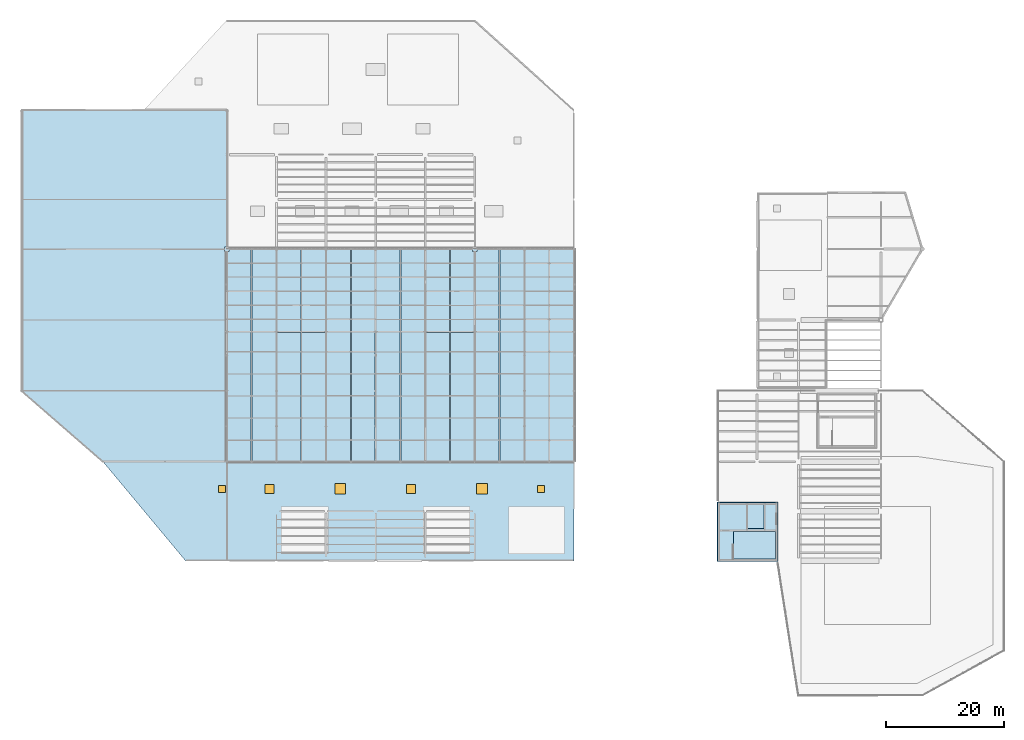
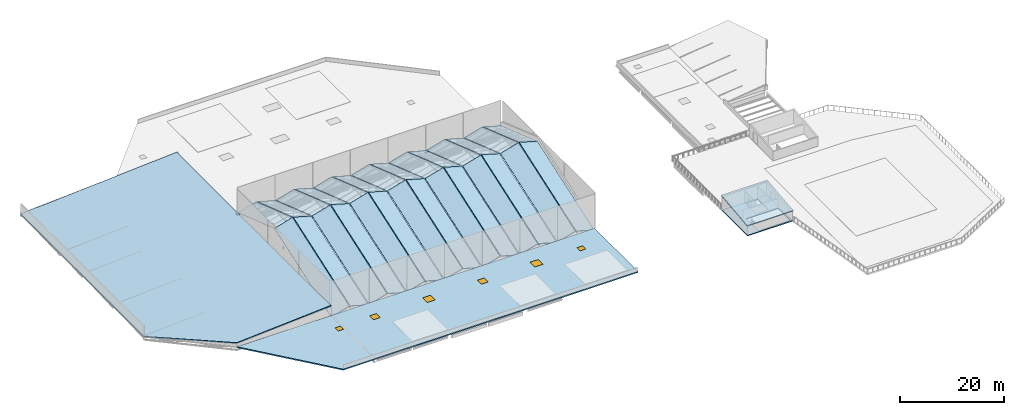
# One storey, part 52 of 77: 32 slabs, 4 windows, 2 doors, 2 plates, 6 openings.
"""IFC4 building model written with IfcOpenShell, lengths in metres."""

from ifc_helpers import new_model, si_unit, direction, frame, origin, origin_2d, place, context, subcontext, project, spatial, polyline, rectangle, outline, extrude, material, layer, layer_set, type_object, element, fill, save


model = new_model("IFC4")

# Units and contexts
model_context = context("Model", 3, precision=1e-05, world=origin(), true_north=direction((0.0, 1.0)))
body_context = subcontext(model_context, "Body", "Model", "MODEL_VIEW")
ifc_project = project(units=[si_unit("LENGTHUNIT", "METRE"), si_unit("AREAUNIT", "SQUARE_METRE"), si_unit("VOLUMEUNIT", "CUBIC_METRE"), si_unit("PLANEANGLEUNIT", "RADIAN"), si_unit("MASSUNIT", "GRAM", prefix="KILO")], contexts=[model_context])

# Site, building, storey
site_placement = place(None, origin())
site = spatial("IfcSite", under=ifc_project, at=site_placement, CompositionType="ELEMENT")
building_placement = place(site_placement, origin())
building = spatial("IfcBuilding", under=site, at=building_placement, Name="Larkvane Passage Sports Hall", CompositionType="ELEMENT")
storey_placement = place(building_placement, frame((0.0, 0.0, 22.199951171875)))
storey = spatial("IfcBuildingStorey", under=building, at=storey_placement, Name="RF", CompositionType="ELEMENT", Elevation=22.199951171875)

# Plates
ifc_material_1 = material(Name="Steel S460N", Category="steel")
ifc_layer_1 = layer(ifc_material_1, 0.028076171875)
ifc_layer_set_1 = layer_set([ifc_layer_1], Name="Steel S460N")
plate_type = type_object("IfcPlateType", Name="PLT-CAP-28", PredefinedType="SHEET", material=ifc_layer_set_1)
for number, where, z_axis, x_axis, name in (
    (1, (34.800048828125, 75.60009765625, 2.10009765625), (0.0, 0.0, 1.0), (1.0, 0.0, 0.0), "Hollow section sealed end cap plate 0222"),
    (2, (76.800048828125, 75.60009765625, 2.10009765625), (0.0, 0.0, 1.0), (1.0, 0.0, 0.0), "Hollow section sealed end cap plate 0306"),
):
    element("IfcPlate", number, at=place(storey_placement, frame(where, z_axis=z_axis, x_axis=x_axis)), inside=storey, type_object=plate_type, Name=name, PredefinedType="SHEET", context=body_context, shape_type="SweptSolid", body=[
        extrude(rectangle(XDim=0.739990234375, YDim=0.739990234375, at=origin_2d()), origin(), (0.0, 0.0, 1.0), 0.028076171875),
    ])

# Slabs
ifc_material_2 = material(Name="Concrete C40/50", Category="concrete")
ifc_layer_2 = layer(ifc_material_2, 0.25)
ifc_layer_set_2 = layer_set([ifc_layer_2], Name="Concrete C40/50")
slab_type_1 = type_object("IfcSlabType", Name="SLB-FLR-250", PredefinedType="FLOOR", material=ifc_layer_set_2)
slab_1_placement = place(storey_placement, frame((0.0, 0.0, -0.25)))
element("IfcSlab", 3, at=slab_1_placement, inside=storey, type_object=slab_type_1, Name="Roof head-house floor slab SLAB-RF-HH-C5", PredefinedType="FLOOR", context=body_context, shape_type="SweptSolid", body=[
    extrude(outline(polyline([(118.0, 22.800048828125), (128.050048828125, 22.800048828125), (128.050048828125, 32.64990234375), (118.0, 32.64990234375), (118.0, 22.800048828125)]), holes=[polyline([(120.58056640625, 27.800048828125), (127.699951171875, 27.800048828125), (127.699951171875, 23.10009765625), (120.58056640625, 23.10009765625), (120.58056640625, 27.800048828125)]), polyline([(123.0, 32.39990234375), (125.800048828125, 32.39990234375), (125.800048828125, 28.300048828125), (123.0, 28.300048828125), (123.0, 32.39990234375)])]), origin(), (0.0, 0.0, 1.0), 0.25),
])
ifc_material_3 = material(Name="Precast concrete C45/55", Category="concrete")
ifc_layer_3 = layer(ifc_material_3, 0.179931640625)
ifc_layer_set_3 = layer_set([ifc_layer_3], Name="Precast concrete C45/55")
slab_type_2 = type_object("IfcSlabType", Name="SLB-FRP-180", PredefinedType="ROOF", material=ifc_layer_set_3)
slab_2_placement = place(storey_placement, frame((34.8798828125, 39.60009765625, -0.376953125), z_axis=(-0.260689137768, -0.315229190463, 0.912508482662), x_axis=(0.961532384085, -8.357086e-06, 0.274691598498)))
element("IfcSlab", 4, at=slab_2_placement, inside=storey, type_object=slab_type_2, Name="Folded roof plate FRP-B1-SW", PredefinedType="ROOF", context=body_context, shape_type="SweptSolid", body=[
    extrude(outline(polyline([(0.0, 0.0), (4.2016369819198465, 0.0), (6.289136099968935, 23.181972129313614), (2.0874320546705496, 23.18189812900755), (0.0, 0.0)])), origin(), (0.0, 0.0, -1.0), 0.179931640625),
])
slab_3_placement = place(storey_placement, frame((39.080078125, 39.60009765625, 0.777099609375), z_axis=(0.260689137768, -0.315229190463, 0.912508482662), x_axis=(0.961532384085, 8.357086e-06, -0.274691598498)))
element("IfcSlab", 5, at=slab_3_placement, inside=storey, type_object=slab_type_2, Name="Folded roof plate FRP-B1-SE", PredefinedType="ROOF", context=body_context, shape_type="SweptSolid", body=[
    extrude(outline(polyline([(0.0, 0.0), (4.2016369819198465, 0.0), (2.114204927249297, 23.181898129007553), (-2.0874991180490894, 23.181972129313614), (0.0, 0.0)])), origin(), (0.0, 0.0, -1.0), 0.179931640625),
])
slab_4_placement = place(storey_placement, frame((51.679931640625, 61.60009765625, 7.222900390625), z_axis=(-0.260908764971, 0.313093702887, 0.913180677399), x_axis=(0.961523947641, 0.0, 0.274721127897)))
element("IfcSlab", 6, at=slab_4_placement, inside=storey, type_object=slab_type_2, Name="Folded roof plate FRP-B3-NW", PredefinedType="ROOF", context=body_context, shape_type="SweptSolid", body=[
    extrude(outline(polyline([(0.0, 0.0), (4.201704047426549, -5.551115123125783e-17), (2.883029219401562, 14.741152107291937), (-1.3186748280249876, 14.741152107291935), (0.0, 0.0)])), origin(), (0.0, 0.0, -1.0), 0.179931640625),
])
slab_5_placement = place(storey_placement, frame((55.8798828125, 61.60009765625, 8.377197265625), z_axis=(0.260908764971, 0.313093702887, 0.913180677399), x_axis=(0.961523947641, 0.0, -0.274721127897)))
element("IfcSlab", 7, at=slab_5_placement, inside=storey, type_object=slab_type_2, Name="Folded roof plate FRP-B3-NE", PredefinedType="ROOF", context=body_context, shape_type="SweptSolid", body=[
    extrude(outline(polyline([(0.0, 0.0), (4.201704047426549, 5.551115123125783e-17), (5.520378875451536, 14.741152107291935), (1.3186748280249876, 14.741152107291935), (0.0, 0.0)])), origin(), (0.0, 0.0, -1.0), 0.179931640625),
])
slab_6_placement = place(storey_placement, frame((60.080078125, 39.60009765625, -0.376953125), z_axis=(-0.260689137768, -0.315229190463, 0.912508482662), x_axis=(0.961532384085, -8.357086e-06, 0.274691598498)))
element("IfcSlab", 8, at=slab_6_placement, inside=storey, type_object=slab_type_2, Name="Folded roof plate FRP-B4-SW", PredefinedType="ROOF", context=body_context, shape_type="SweptSolid", body=[
    extrude(outline(polyline([(0.0, 0.0), (4.2016369819198465, 0.0), (6.289136099968935, 23.181972129313614), (2.0874320546705496, 23.18189812900755), (0.0, 0.0)])), origin(), (0.0, 0.0, -1.0), 0.179931640625),
])
slab_7_placement = place(storey_placement, frame((64.280029296875, 39.60009765625, 0.777099609375), z_axis=(0.260689137768, -0.315229190463, 0.912508482662), x_axis=(0.961532384085, 8.357086e-06, -0.274691598498)))
element("IfcSlab", 9, at=slab_7_placement, inside=storey, type_object=slab_type_2, Name="Folded roof plate FRP-B4-SE", PredefinedType="ROOF", context=body_context, shape_type="SweptSolid", body=[
    extrude(outline(polyline([(0.0, 0.0), (4.2016369819198465, 0.0), (2.114204927249297, 23.181898129007553), (-2.0874991180490894, 23.181972129313614), (0.0, 0.0)])), origin(), (0.0, 0.0, -1.0), 0.179931640625),
])
slab_8_placement = place(storey_placement, frame((76.8798828125, 61.60009765625, 7.222900390625), z_axis=(-0.260908764971, 0.313093702887, 0.913180677399), x_axis=(0.961523947641, 0.0, 0.274721127897)))
element("IfcSlab", 10, at=slab_8_placement, inside=storey, type_object=slab_type_2, Name="Folded roof plate FRP-B6-NW", PredefinedType="ROOF", context=body_context, shape_type="SweptSolid", body=[
    extrude(outline(polyline([(0.0, 0.0), (4.201704047426549, -5.551115123125783e-17), (2.883029219401562, 14.741152107291937), (-1.3186748280249876, 14.741152107291935), (0.0, 0.0)])), origin(), (0.0, 0.0, -1.0), 0.179931640625),
])
slab_9_placement = place(storey_placement, frame((81.080078125, 61.60009765625, 8.377197265625), z_axis=(0.260908764971, 0.313093702887, 0.913180677399), x_axis=(0.961523947641, 0.0, -0.274721127897)))
element("IfcSlab", 11, at=slab_9_placement, inside=storey, type_object=slab_type_2, Name="Folded roof plate FRP-B6-NE", PredefinedType="ROOF", context=body_context, shape_type="SweptSolid", body=[
    extrude(outline(polyline([(0.0, 0.0), (4.201704047426549, 5.551115123125783e-17), (5.520378875451536, 14.741152107291935), (1.3186748280249876, 14.741152107291935), (0.0, 0.0)])), origin(), (0.0, 0.0, -1.0), 0.179931640625),
])
slab_10_placement = place(storey_placement, frame((85.280029296875, 39.60009765625, -0.376953125), z_axis=(-0.260689137768, -0.315229190463, 0.912508482662), x_axis=(0.961532384085, -8.357086e-06, 0.274691598498)))
element("IfcSlab", 12, at=slab_10_placement, inside=storey, type_object=slab_type_2, Name="Folded roof plate FRP-B7-SW", PredefinedType="ROOF", context=body_context, shape_type="SweptSolid", body=[
    extrude(outline(polyline([(0.0, 0.0), (4.2016369819198465, 0.0), (6.289136099968935, 23.181972129313614), (2.0874320546705496, 23.18189812900755), (0.0, 0.0)])), origin(), (0.0, 0.0, -1.0), 0.179931640625),
])
slab_11_placement = place(storey_placement, frame((89.47998046875, 39.60009765625, 0.777099609375), z_axis=(0.260689137768, -0.315229190463, 0.912508482662), x_axis=(0.961532384085, 8.357086e-06, -0.274691598498)))
element("IfcSlab", 13, at=slab_11_placement, inside=storey, type_object=slab_type_2, Name="Folded roof plate FRP-B7-SE", PredefinedType="ROOF", context=body_context, shape_type="SweptSolid", body=[
    extrude(outline(polyline([(0.0, 0.0), (4.2016369819198465, 0.0), (2.114204927249297, 23.181898129007553), (-2.0874991180490894, 23.181972129313614), (0.0, 0.0)])), origin(), (0.0, 0.0, -1.0), 0.179931640625),
])
ifc_layer_4 = layer(ifc_material_3, 0.219970703125)
ifc_layer_set_4 = layer_set([ifc_layer_4], Name="Precast concrete C45/55")
slab_type_3 = type_object("IfcSlabType", Name="SLB-FRP-220", PredefinedType="ROOF", material=ifc_layer_set_4)
slab_12_placement = place(storey_placement, frame((34.8798828125, 61.60009765625, 7.222900390625), z_axis=(-0.260908764971, 0.313093702887, 0.913180677399), x_axis=(0.961523947641, 0.0, 0.274721127897)))
element("IfcSlab", 14, at=slab_12_placement, inside=storey, type_object=slab_type_3, Name="Folded roof plate FRP-B1-NW", PredefinedType="ROOF", context=body_context, shape_type="SweptSolid", body=[
    extrude(outline(polyline([(0.0, 0.0), (4.201704047426549, -5.551115123125783e-17), (2.883029219401562, 14.741152107291937), (-1.3186748280249876, 14.741152107291935), (0.0, 0.0)])), origin(), (0.0, 0.0, -1.0), 0.219970703125),
])
slab_13_placement = place(storey_placement, frame((39.080078125, 61.60009765625, 8.377197265625), z_axis=(0.260908764971, 0.313093702887, 0.913180677399), x_axis=(0.961523947641, 0.0, -0.274721127897)))
element("IfcSlab", 15, at=slab_13_placement, inside=storey, type_object=slab_type_3, Name="Folded roof plate FRP-B1-NE", PredefinedType="ROOF", context=body_context, shape_type="SweptSolid", body=[
    extrude(outline(polyline([(0.0, 0.0), (4.201704047426549, 5.551115123125783e-17), (5.520378875451536, 14.741152107291935), (1.3186748280249876, 14.741152107291935), (0.0, 0.0)])), origin(), (0.0, 0.0, -1.0), 0.219970703125),
])
slab_14_placement = place(storey_placement, frame((43.280029296875, 39.60009765625, -0.376953125), z_axis=(-0.260689137768, -0.315229190463, 0.912508482662), x_axis=(0.961532384085, -8.357086e-06, 0.274691598498)))
element("IfcSlab", 16, at=slab_14_placement, inside=storey, type_object=slab_type_3, Name="Folded roof plate FRP-B2-SW", PredefinedType="ROOF", context=body_context, shape_type="SweptSolid", body=[
    extrude(outline(polyline([(0.0, 0.0), (4.2016369819198465, 0.0), (6.289136099968935, 23.181972129313614), (2.0874320546705496, 23.18189812900755), (0.0, 0.0)])), origin(), (0.0, 0.0, -1.0), 0.219970703125),
])
slab_15_placement = place(storey_placement, frame((47.47998046875, 39.60009765625, 0.777099609375), z_axis=(0.260689137768, -0.315229190463, 0.912508482662), x_axis=(0.961532384085, 8.357086e-06, -0.274691598498)))
element("IfcSlab", 17, at=slab_15_placement, inside=storey, type_object=slab_type_3, Name="Folded roof plate FRP-B2-SE", PredefinedType="ROOF", context=body_context, shape_type="SweptSolid", body=[
    extrude(outline(polyline([(0.0, 0.0), (4.2016369819198465, 0.0), (2.114204927249297, 23.181898129007553), (-2.0874991180490894, 23.181972129313614), (0.0, 0.0)])), origin(), (0.0, 0.0, -1.0), 0.219970703125),
])
slab_16_placement = place(storey_placement, frame((60.080078125, 61.60009765625, 7.222900390625), z_axis=(-0.260908764971, 0.313093702887, 0.913180677399), x_axis=(0.961523947641, 0.0, 0.274721127897)))
element("IfcSlab", 18, at=slab_16_placement, inside=storey, type_object=slab_type_3, Name="Folded roof plate FRP-B4-NW", PredefinedType="ROOF", context=body_context, shape_type="SweptSolid", body=[
    extrude(outline(polyline([(0.0, 0.0), (4.201704047426549, -5.551115123125783e-17), (2.883029219401562, 14.741152107291937), (-1.3186748280249876, 14.741152107291935), (0.0, 0.0)])), origin(), (0.0, 0.0, -1.0), 0.219970703125),
])
slab_17_placement = place(storey_placement, frame((64.280029296875, 61.60009765625, 8.377197265625), z_axis=(0.260908764971, 0.313093702887, 0.913180677399), x_axis=(0.961523947641, 0.0, -0.274721127897)))
element("IfcSlab", 19, at=slab_17_placement, inside=storey, type_object=slab_type_3, Name="Folded roof plate FRP-B4-NE", PredefinedType="ROOF", context=body_context, shape_type="SweptSolid", body=[
    extrude(outline(polyline([(0.0, 0.0), (4.201704047426549, 5.551115123125783e-17), (5.520378875451536, 14.741152107291935), (1.3186748280249876, 14.741152107291935), (0.0, 0.0)])), origin(), (0.0, 0.0, -1.0), 0.219970703125),
])
slab_18_placement = place(storey_placement, frame((68.47998046875, 39.60009765625, -0.376953125), z_axis=(-0.260689137768, -0.315229190463, 0.912508482662), x_axis=(0.961532384085, -8.357086e-06, 0.274691598498)))
element("IfcSlab", 20, at=slab_18_placement, inside=storey, type_object=slab_type_3, Name="Folded roof plate FRP-B5-SW", PredefinedType="ROOF", context=body_context, shape_type="SweptSolid", body=[
    extrude(outline(polyline([(0.0, 0.0), (4.2016369819198465, 0.0), (6.289136099968935, 23.181972129313614), (2.0874320546705496, 23.18189812900755), (0.0, 0.0)])), origin(), (0.0, 0.0, -1.0), 0.219970703125),
])
slab_19_placement = place(storey_placement, frame((72.679931640625, 39.60009765625, 0.777099609375), z_axis=(0.260689137768, -0.315229190463, 0.912508482662), x_axis=(0.961532384085, 8.357086e-06, -0.274691598498)))
element("IfcSlab", 21, at=slab_19_placement, inside=storey, type_object=slab_type_3, Name="Folded roof plate FRP-B5-SE", PredefinedType="ROOF", context=body_context, shape_type="SweptSolid", body=[
    extrude(outline(polyline([(0.0, 0.0), (4.2016369819198465, 0.0), (2.114204927249297, 23.181898129007553), (-2.0874991180490894, 23.181972129313614), (0.0, 0.0)])), origin(), (0.0, 0.0, -1.0), 0.219970703125),
])
slab_20_placement = place(storey_placement, frame((85.280029296875, 61.60009765625, 7.222900390625), z_axis=(-0.260908764971, 0.313093702887, 0.913180677399), x_axis=(0.961523947641, 0.0, 0.274721127897)))
element("IfcSlab", 22, at=slab_20_placement, inside=storey, type_object=slab_type_3, Name="Folded roof plate FRP-B7-NW", PredefinedType="ROOF", context=body_context, shape_type="SweptSolid", body=[
    extrude(outline(polyline([(0.0, 0.0), (4.201704047426549, -5.551115123125783e-17), (2.883029219401562, 14.741152107291937), (-1.3186748280249876, 14.741152107291935), (0.0, 0.0)])), origin(), (0.0, 0.0, -1.0), 0.219970703125),
])
slab_21_placement = place(storey_placement, frame((89.47998046875, 61.60009765625, 8.377197265625), z_axis=(0.260908764971, 0.313093702887, 0.913180677399), x_axis=(0.961523947641, 0.0, -0.274721127897)))
element("IfcSlab", 23, at=slab_21_placement, inside=storey, type_object=slab_type_3, Name="Folded roof plate FRP-B7-NE", PredefinedType="ROOF", context=body_context, shape_type="SweptSolid", body=[
    extrude(outline(polyline([(0.0, 0.0), (4.201704047426549, 5.551115123125783e-17), (5.520378875451536, 14.741152107291935), (1.3186748280249876, 14.741152107291935), (0.0, 0.0)])), origin(), (0.0, 0.0, -1.0), 0.219970703125),
])
slab_22_placement = place(storey_placement, frame((0.0, 51.60009765625, 0.0), z_axis=(-0.068805085457, 3.174696e-06, 0.997630121942), x_axis=(0.753587250539, -0.655289830892, 0.051975892045)))
element("IfcSlab", 24, at=slab_22_placement, inside=storey, type_object=slab_type_3, Name="Northwest Basketball Hall sloped mono-fold roof plate", PredefinedType="ROOF", context=body_context, shape_type="SweptSolid", body=[
    extrude(outline(polyline([(0.0, 0.0), (18.312507588799676, -1.3322676295501878e-15), (34.213100840287204, 13.793760635833907), (-4.842077091178846, 58.81415174685919), (-31.191699960757184, 35.95586055491125), (0.0, 0.0)])), origin(), (0.0, 0.0, -1.0), 0.219970703125),
])
slab_23_placement = place(storey_placement, frame((117.85009765625, 22.64990234375, 2.380126953125), z_axis=(0.0, -0.108255369815, 0.994123118586), x_axis=(1.0, 0.0, 0.0)))
element("IfcSlab", 25, at=slab_23_placement, inside=storey, type_object=slab_type_3, Name="Stair and lift head-house sloped roof plate C5", PredefinedType="ROOF", context=body_context, shape_type="SweptSolid", body=[
    extrude(outline(polyline([(0.0, 0.0), (10.2998046875, 0.0), (10.2998046875, 10.159805629125954), (0.0, 10.159805629125954), (0.0, 0.0)])), origin(), (0.0, 0.0, -1.0), 0.219970703125),
])
ifc_layer_5 = layer(ifc_material_3, 0.260009765625)
ifc_layer_set_5 = layer_set([ifc_layer_5], Name="Precast concrete C45/55")
slab_type_4 = type_object("IfcSlabType", Name="SLB-FRP-260", PredefinedType="ROOF", material=ifc_layer_set_5)
slab_24_placement = place(storey_placement, frame((43.280029296875, 61.60009765625, 7.222900390625), z_axis=(-0.260908764971, 0.313093702887, 0.913180677399), x_axis=(0.961523947641, 0.0, 0.274721127897)))
element("IfcSlab", 26, at=slab_24_placement, inside=storey, type_object=slab_type_4, Name="Folded roof plate FRP-B2-NW", PredefinedType="ROOF", context=body_context, shape_type="SweptSolid", body=[
    extrude(outline(polyline([(0.0, 0.0), (4.201704047426549, -5.551115123125783e-17), (2.883029219401562, 14.741152107291937), (-1.3186748280249876, 14.741152107291935), (0.0, 0.0)])), origin(), (0.0, 0.0, -1.0), 0.260009765625),
])
slab_25_placement = place(storey_placement, frame((47.47998046875, 61.60009765625, 8.377197265625), z_axis=(0.260908764971, 0.313093702887, 0.913180677399), x_axis=(0.961523947641, 0.0, -0.274721127897)))
element("IfcSlab", 27, at=slab_25_placement, inside=storey, type_object=slab_type_4, Name="Folded roof plate FRP-B2-NE", PredefinedType="ROOF", context=body_context, shape_type="SweptSolid", body=[
    extrude(outline(polyline([(0.0, 0.0), (4.201704047426549, 5.551115123125783e-17), (5.520378875451536, 14.741152107291935), (1.3186748280249876, 14.741152107291935), (0.0, 0.0)])), origin(), (0.0, 0.0, -1.0), 0.260009765625),
])
slab_26_placement = place(storey_placement, frame((51.679931640625, 39.60009765625, -0.376953125), z_axis=(-0.260689137768, -0.315229190463, 0.912508482662), x_axis=(0.961532384085, -8.357086e-06, 0.274691598498)))
element("IfcSlab", 28, at=slab_26_placement, inside=storey, type_object=slab_type_4, Name="Folded roof plate FRP-B3-SW", PredefinedType="ROOF", context=body_context, shape_type="SweptSolid", body=[
    extrude(outline(polyline([(0.0, 0.0), (4.2016369819198465, 0.0), (6.289136099968935, 23.181972129313614), (2.0874320546705496, 23.18189812900755), (0.0, 0.0)])), origin(), (0.0, 0.0, -1.0), 0.260009765625),
])
slab_27_placement = place(storey_placement, frame((55.8798828125, 39.60009765625, 0.777099609375), z_axis=(0.260689137768, -0.315229190463, 0.912508482662), x_axis=(0.961532384085, 8.357086e-06, -0.274691598498)))
element("IfcSlab", 29, at=slab_27_placement, inside=storey, type_object=slab_type_4, Name="Folded roof plate FRP-B3-SE", PredefinedType="ROOF", context=body_context, shape_type="SweptSolid", body=[
    extrude(outline(polyline([(0.0, 0.0), (4.2016369819198465, 0.0), (2.114204927249297, 23.181898129007553), (-2.0874991180490894, 23.181972129313614), (0.0, 0.0)])), origin(), (0.0, 0.0, -1.0), 0.260009765625),
])
slab_28_placement = place(storey_placement, frame((68.47998046875, 61.60009765625, 7.222900390625), z_axis=(-0.260908764971, 0.313093702887, 0.913180677399), x_axis=(0.961523947641, 0.0, 0.274721127897)))
element("IfcSlab", 30, at=slab_28_placement, inside=storey, type_object=slab_type_4, Name="Folded roof plate FRP-B5-NW", PredefinedType="ROOF", context=body_context, shape_type="SweptSolid", body=[
    extrude(outline(polyline([(0.0, 0.0), (4.201704047426549, -5.551115123125783e-17), (2.883029219401562, 14.741152107291937), (-1.3186748280249876, 14.741152107291935), (0.0, 0.0)])), origin(), (0.0, 0.0, -1.0), 0.260009765625),
])
slab_29_placement = place(storey_placement, frame((72.679931640625, 61.60009765625, 8.377197265625), z_axis=(0.260908764971, 0.313093702887, 0.913180677399), x_axis=(0.961523947641, 0.0, -0.274721127897)))
element("IfcSlab", 31, at=slab_29_placement, inside=storey, type_object=slab_type_4, Name="Folded roof plate FRP-B5-NE", PredefinedType="ROOF", context=body_context, shape_type="SweptSolid", body=[
    extrude(outline(polyline([(0.0, 0.0), (4.201704047426549, 5.551115123125783e-17), (5.520378875451536, 14.741152107291935), (1.3186748280249876, 14.741152107291935), (0.0, 0.0)])), origin(), (0.0, 0.0, -1.0), 0.260009765625),
])
slab_30_placement = place(storey_placement, frame((76.8798828125, 39.60009765625, -0.376953125), z_axis=(-0.260689137768, -0.315229190463, 0.912508482662), x_axis=(0.961532384085, -8.357086e-06, 0.274691598498)))
element("IfcSlab", 32, at=slab_30_placement, inside=storey, type_object=slab_type_4, Name="Folded roof plate FRP-B6-SW", PredefinedType="ROOF", context=body_context, shape_type="SweptSolid", body=[
    extrude(outline(polyline([(0.0, 0.0), (4.2016369819198465, 0.0), (6.289136099968935, 23.181972129313614), (2.0874320546705496, 23.18189812900755), (0.0, 0.0)])), origin(), (0.0, 0.0, -1.0), 0.260009765625),
])
slab_31_placement = place(storey_placement, frame((81.080078125, 39.60009765625, 0.777099609375), z_axis=(0.260689137768, -0.315229190463, 0.912508482662), x_axis=(0.961532384085, 8.357086e-06, -0.274691598498)))
element("IfcSlab", 33, at=slab_31_placement, inside=storey, type_object=slab_type_4, Name="Folded roof plate FRP-B6-SE", PredefinedType="ROOF", context=body_context, shape_type="SweptSolid", body=[
    extrude(outline(polyline([(0.0, 0.0), (4.2016369819198465, 0.0), (2.114204927249297, 23.181898129007553), (-2.0874991180490894, 23.181972129313614), (0.0, 0.0)])), origin(), (0.0, 0.0, -1.0), 0.260009765625),
])

# Slab, openings, doors, windows
ifc_layer_6 = layer(ifc_material_2, 0.280029296875)
ifc_layer_set_6 = layer_set([ifc_layer_6], Name="Concrete C40/50")
slab_type_5 = type_object("IfcSlabType", Name="SLB-ROOF-200", PredefinedType="ROOF", material=ifc_layer_set_6)
slab_32_placement = place(storey_placement, frame((0.0, 0.0, -0.280029296875)))
slab_32 = element("IfcSlab", 34, at=slab_32_placement, inside=storey, type_object=slab_type_5, Name="South arena concourse flat roof deck", PredefinedType="ROOF", context=body_context, shape_type="SweptSolid", body=[
    extrude(outline(polyline([(13.800048828125, 39.60009765625), (27.800048828125, 22.800048828125), (93.60009765625, 22.800048828125), (93.60009765625, 39.60009765625), (13.800048828125, 39.60009765625)])), origin(), (0.0, 0.0, 1.0), 0.280029296875),
])
opening_1_placement = place(slab_32_placement, frame((42.0, 35.0, -0.010009765625), z_axis=(0.0, 0.0, 1.0), x_axis=(1.0, 0.0, 0.0)))
opening_1 = element("IfcOpeningElement", 35, at=opening_1_placement, cuts=slab_32, Name="Opening DM-01", PredefinedType="OPENING", context=body_context, shape_type="SweptSolid", body=[
    extrude(rectangle(XDim=1.5, YDim=1.5, at=origin_2d()), origin(), (0.0, 0.0, 1.0), 0.300048828125),
])
opening_2_placement = place(slab_32_placement, frame((54.0, 35.0, -0.010009765625), z_axis=(0.0, 0.0, 1.0), x_axis=(1.0, 0.0, 0.0)))
opening_2 = element("IfcOpeningElement", 36, at=opening_2_placement, cuts=slab_32, Name="Opening DM-02", PredefinedType="OPENING", context=body_context, shape_type="SweptSolid", body=[
    extrude(rectangle(XDim=1.800048828125, YDim=1.800048828125, at=origin_2d()), origin(), (0.0, 0.0, 1.0), 0.300048828125),
])
opening_3_placement = place(slab_32_placement, frame((66.0, 35.0, -0.010009765625), z_axis=(0.0, 0.0, 1.0), x_axis=(1.0, 0.0, 0.0)))
opening_3 = element("IfcOpeningElement", 37, at=opening_3_placement, cuts=slab_32, Name="Opening DM-01", PredefinedType="OPENING", context=body_context, shape_type="SweptSolid", body=[
    extrude(rectangle(XDim=1.5, YDim=1.5, at=origin_2d()), origin(), (0.0, 0.0, 1.0), 0.300048828125),
])
opening_4_placement = place(slab_32_placement, frame((78.0, 35.0, -0.010009765625), z_axis=(0.0, 0.0, 1.0), x_axis=(1.0, 0.0, 0.0)))
opening_4 = element("IfcOpeningElement", 38, at=opening_4_placement, cuts=slab_32, Name="Opening DM-02", PredefinedType="OPENING", context=body_context, shape_type="SweptSolid", body=[
    extrude(rectangle(XDim=1.800048828125, YDim=1.800048828125, at=origin_2d()), origin(), (0.0, 0.0, 1.0), 0.300048828125),
])
opening_5_placement = place(slab_32_placement, frame((34.0, 35.0, -0.010009765625), z_axis=(0.0, 0.0, 1.0), x_axis=(1.0, 0.0, 0.0)))
opening_5 = element("IfcOpeningElement", 39, at=opening_5_placement, cuts=slab_32, Name="Opening RH-01", PredefinedType="OPENING", context=body_context, shape_type="SweptSolid", body=[
    extrude(rectangle(XDim=1.199951171875, YDim=1.199951171875, at=origin_2d()), origin(), (0.0, 0.0, 1.0), 0.300048828125),
])
opening_6_placement = place(slab_32_placement, frame((88.0, 35.0, -0.010009765625), z_axis=(0.0, 0.0, 1.0), x_axis=(1.0, 0.0, 0.0)))
opening_6 = element("IfcOpeningElement", 40, at=opening_6_placement, cuts=slab_32, Name="Opening RH-01", PredefinedType="OPENING", context=body_context, shape_type="SweptSolid", body=[
    extrude(rectangle(XDim=1.199951171875, YDim=1.199951171875, at=origin_2d()), origin(), (0.0, 0.0, 1.0), 0.300048828125),
])
ifc_material_4 = material(Name="Insulated aluminium roof access hatch", Category="aluminium")
door_type = type_object("IfcDoorType", Name="DR-HATCH-1200", OperationType="SWING_FIXED_LEFT", PredefinedType="TRAPDOOR", material=ifc_material_4)
door_1_placement = place(slab_32_placement, frame((34.0, 35.0, 0.22998046875), z_axis=(0.0, 0.0, 1.0), x_axis=(1.0, 0.0, 0.0)))
door_1 = element("IfcDoor", 41, at=door_1_placement, inside=storey, type_object=door_type, Name="Maintenance roof hatch HATCH-RF-01", OperationType="SWING_FIXED_LEFT", OverallHeight=1.199951171875, OverallWidth=1.199951171875, PredefinedType="TRAPDOOR", context=body_context, shape_type="SweptSolid", body=[
    extrude(rectangle(XDim=1.199951171875, YDim=1.199951171875, at=origin_2d()), origin(), (0.0, 0.0, 1.0), 0.050048828125),
])
fill(opening_5, door_1)
door_2_placement = place(slab_32_placement, frame((88.0, 35.0, 0.22998046875), z_axis=(0.0, 0.0, 1.0), x_axis=(1.0, 0.0, 0.0)))
door_2 = element("IfcDoor", 42, at=door_2_placement, inside=storey, type_object=door_type, Name="Maintenance roof hatch HATCH-RF-02", OperationType="SWING_FIXED_LEFT", OverallHeight=1.199951171875, OverallWidth=1.199951171875, PredefinedType="TRAPDOOR", context=body_context, shape_type="SweptSolid", body=[
    extrude(rectangle(XDim=1.199951171875, YDim=1.199951171875, at=origin_2d()), origin(), (0.0, 0.0, 1.0), 0.050048828125),
])
fill(opening_6, door_2)
ifc_material_5 = material(Name="Thermally broken aluminium and laminated low-E glass", Category="aluminium")
window_type_1 = type_object("IfcWindowType", Name="SK-DOME-1500x1500", PartitioningType="SINGLE_PANEL", PredefinedType="LIGHTDOME", material=ifc_material_5)
window_1_placement = place(slab_32_placement, frame((42.0, 35.0, 0.219970703125), z_axis=(0.0, 0.0, 1.0), x_axis=(1.0, 0.0, 0.0)))
window_1 = element("IfcWindow", 43, at=window_1_placement, inside=storey, type_object=window_type_1, Name="Smoke vent lightdome DOME-01", OverallHeight=1.5, OverallWidth=1.5, PartitioningType="SINGLE_PANEL", PredefinedType="LIGHTDOME", context=body_context, shape_type="SweptSolid", body=[
    extrude(rectangle(XDim=1.5, YDim=1.5, at=origin_2d()), origin(), (0.0, 0.0, 1.0), 0.06005859375),
])
fill(opening_1, window_1)
window_2_placement = place(slab_32_placement, frame((66.0, 35.0, 0.219970703125), z_axis=(0.0, 0.0, 1.0), x_axis=(1.0, 0.0, 0.0)))
window_2 = element("IfcWindow", 44, at=window_2_placement, inside=storey, type_object=window_type_1, Name="Smoke vent lightdome DOME-03", OverallHeight=1.5, OverallWidth=1.5, PartitioningType="SINGLE_PANEL", PredefinedType="LIGHTDOME", context=body_context, shape_type="SweptSolid", body=[
    extrude(rectangle(XDim=1.5, YDim=1.5, at=origin_2d()), origin(), (0.0, 0.0, 1.0), 0.06005859375),
])
fill(opening_3, window_2)
window_type_2 = type_object("IfcWindowType", Name="SK-DOME-1800x1800", PartitioningType="SINGLE_PANEL", PredefinedType="LIGHTDOME", material=ifc_material_5)
window_3_placement = place(slab_32_placement, frame((54.0, 35.0, 0.219970703125), z_axis=(0.0, 0.0, 1.0), x_axis=(1.0, 0.0, 0.0)))
window_3 = element("IfcWindow", 45, at=window_3_placement, inside=storey, type_object=window_type_2, Name="Smoke vent lightdome DOME-02", OverallHeight=1.800048828125, OverallWidth=1.800048828125, PartitioningType="SINGLE_PANEL", PredefinedType="LIGHTDOME", context=body_context, shape_type="SweptSolid", body=[
    extrude(rectangle(XDim=1.800048828125, YDim=1.800048828125, at=origin_2d()), origin(), (0.0, 0.0, 1.0), 0.06005859375),
])
fill(opening_2, window_3)
window_4_placement = place(slab_32_placement, frame((78.0, 35.0, 0.219970703125), z_axis=(0.0, 0.0, 1.0), x_axis=(1.0, 0.0, 0.0)))
window_4 = element("IfcWindow", 46, at=window_4_placement, inside=storey, type_object=window_type_2, Name="Smoke vent lightdome DOME-04", OverallHeight=1.800048828125, OverallWidth=1.800048828125, PartitioningType="SINGLE_PANEL", PredefinedType="LIGHTDOME", context=body_context, shape_type="SweptSolid", body=[
    extrude(rectangle(XDim=1.800048828125, YDim=1.800048828125, at=origin_2d()), origin(), (0.0, 0.0, 1.0), 0.06005859375),
])
fill(opening_4, window_4)

save(model, "model.ifc")
